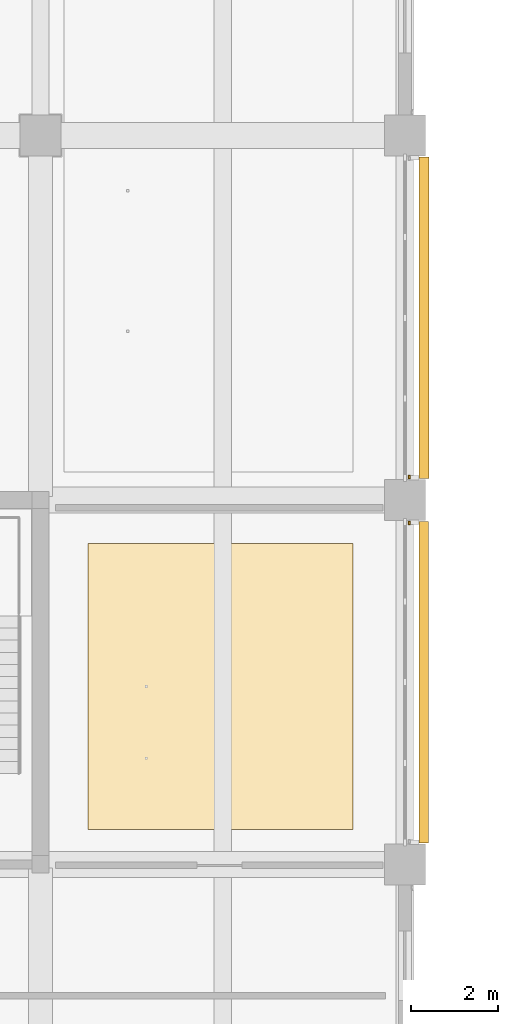
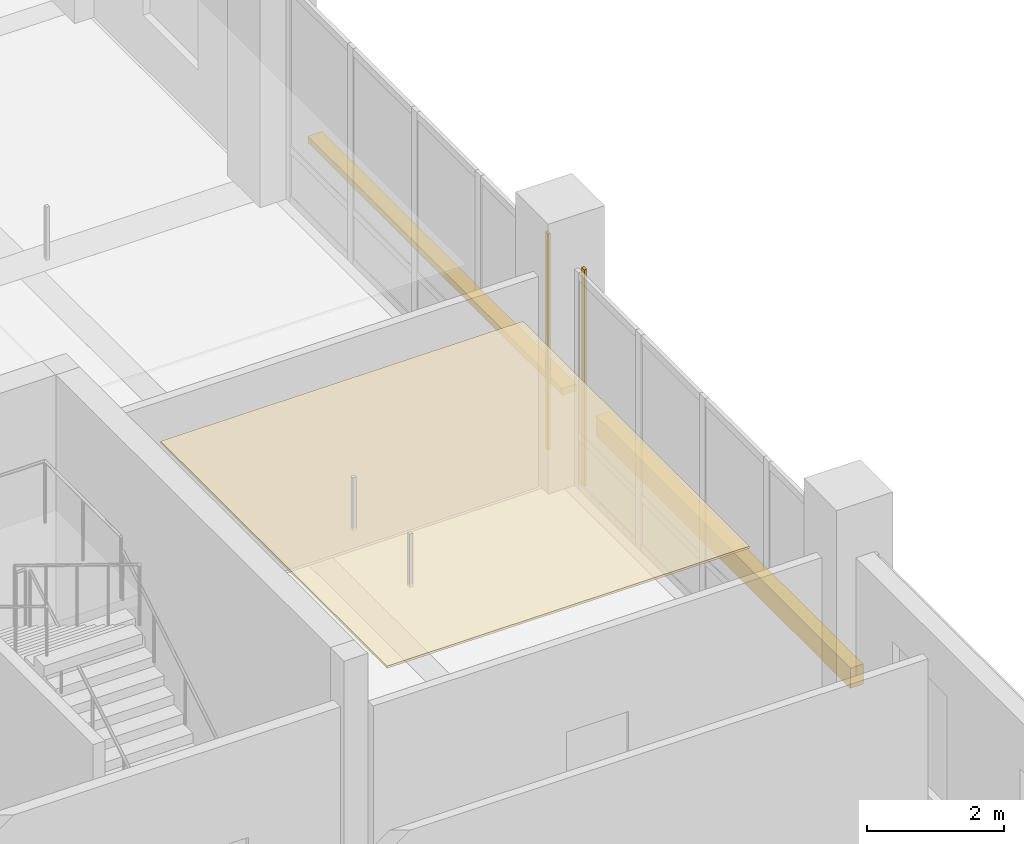
# One storey, part 114 of 122: 3 coverings, 2 shading devices.
"""IFC4 building model written with IfcOpenShell, lengths in metres."""

import ifcopenshell
import ifcopenshell.guid

model = None  # the IFC model being written
_history = None  # IfcOwnerHistory: only IFC2X3 demands one
_inside = {}  # id of a spatial element -> (the spatial element, [elements in it])
_under = {}  # id of a project, library or spatial element -> (it, [spatial elements below it])
_declared = {}  # id of a project -> (the project, [libraries it declares])
_typed = {}  # id of a type object -> (the type object, [elements of that type])
_made_of = {}  # id of a material, layer set ... -> (it, [elements and type objects made of it])


def new_model(schema):
    """Start an empty IFC model of exactly this schema.

    Asked for "IFC4X3", IfcOpenShell would pick the latest addendum, in which some entities
    have other attributes; the version numbers below select the first issue.
    IFC2X3 requires an IfcOwnerHistory on every rooted entity: one is made here for all.
    """
    global model, _history
    if schema == "IFC4X3":
        model = ifcopenshell.file(schema_version=(4, 3, 0, 0))
    else:
        model = ifcopenshell.file(schema=schema)
    _inside.clear()
    _under.clear()
    _declared.clear()
    _typed.clear()
    _made_of.clear()
    _history = None
    if model.schema == "IFC2X3":
        org = make("IfcOrganization", Name="unknown")
        user = make(
            "IfcPersonAndOrganization",
            ThePerson=make("IfcPerson", FamilyName="unknown"),
            TheOrganization=org,
        )
        app = make(
            "IfcApplication",
            ApplicationDeveloper=org,
            Version="unknown",
            ApplicationFullName="unknown",
            ApplicationIdentifier="unknown",
        )
        _history = make(
            "IfcOwnerHistory",
            OwningUser=user,
            OwningApplication=app,
            ChangeAction="ADDED",
            CreationDate=0,
        )
    return model


def make(cls, **values):
    """One entity of the class cls with the attributes given. An attribute that is None is left unset."""
    return model.create_entity(
        cls, **{name: value for name, value in values.items() if value is not None}
    )


def rooted(cls, **values):
    """An entity with a GlobalId (a new one), such as an element, a storey or a relation."""
    return make(cls, GlobalId=ifcopenshell.guid.new(), OwnerHistory=_history, **values)


def si_unit(unit_type, name, prefix=None):
    """IfcSIUnit, for example si_unit("LENGTHUNIT", "METRE", prefix="MILLI")."""
    return make("IfcSIUnit", UnitType=unit_type, Prefix=prefix, Name=name)


def assignment(units):
    """IfcUnitAssignment: the units of a project."""
    return None if units is None else make("IfcUnitAssignment", Units=units)


def point(xyz):
    """IfcCartesianPoint."""
    return None if xyz is None else make("IfcCartesianPoint", Coordinates=xyz)


def direction(xyz):
    """IfcDirection."""
    return None if xyz is None else make("IfcDirection", DirectionRatios=xyz)


def frame(location, z_axis=None, x_axis=None):
    """IfcAxis2Placement3D, a coordinate frame: its origin and axes. An axis left out is left unset."""
    return make(
        "IfcAxis2Placement3D",
        Location=point(location),
        Axis=direction(z_axis),
        RefDirection=direction(x_axis),
    )


def frame_2d(location, x_axis=None):
    """IfcAxis2Placement2D, a coordinate frame in the plane: its origin and x axis."""
    return make(
        "IfcAxis2Placement2D", Location=point(location), RefDirection=direction(x_axis)
    )


def origin():
    """The frame at (0, 0, 0) with its axes left unset."""
    return frame((0.0, 0.0, 0.0))


def origin_2d():
    """The frame at (0, 0) in the plane with its x axis left unset."""
    return frame_2d((0.0, 0.0))


def place(relative_to, where):
    """IfcLocalPlacement: puts the frame where relative to a parent placement (None: the world)."""
    return make(
        "IfcLocalPlacement", PlacementRelTo=relative_to, RelativePlacement=where
    )


def context(
    kind, dimensions, precision=None, world=None, true_north=None, identifier=None
):
    """IfcGeometricRepresentationContext, for example the 3D "Model" context."""
    return make(
        "IfcGeometricRepresentationContext",
        ContextIdentifier=identifier,
        ContextType=kind,
        CoordinateSpaceDimension=dimensions,
        Precision=precision,
        WorldCoordinateSystem=world,
        TrueNorth=true_north,
    )


def subcontext(parent, identifier, kind, view, scale=None):
    """IfcGeometricRepresentationSubContext, for example "Body" below "Model"."""
    return make(
        "IfcGeometricRepresentationSubContext",
        ContextIdentifier=identifier,
        ContextType=kind,
        ParentContext=parent,
        TargetScale=scale,
        TargetView=view,
    )


def project(units=None, contexts=None):
    """IfcProject with its units and contexts."""
    return rooted(
        "IfcProject",
        Name="project",
        RepresentationContexts=contexts,
        UnitsInContext=assignment(units),
    )


def spatial(cls, under=None, at=None, **own):
    """A site, building, storey or space (cls), placed at a placement, below another one or the project."""
    s = rooted(cls, ObjectPlacement=at, **own)
    if under is not None:
        _under.setdefault(under.id(), (under, []))[1].append(s)
    return s


def polyline(points):
    """IfcPolyline through the points."""
    return make("IfcPolyline", Points=[point(p) for p in points])


def profile(cls, at=None, kind="AREA", **sizes):
    """A parametric profile (cls). Its sizes go by their IFC names, for example OverallWidth=200.0."""
    return make(cls, ProfileType=kind, Position=at, **sizes)


def rectangle(**sizes):
    """IfcRectangleProfileDef."""
    return profile("IfcRectangleProfileDef", **sizes)


def outline(outer, holes=None, kind="AREA"):
    """IfcArbitraryClosedProfileDef: a profile drawn as a closed curve; with holes, ...WithVoids."""
    if holes is None:
        return make("IfcArbitraryClosedProfileDef", ProfileType=kind, OuterCurve=outer)
    return make(
        "IfcArbitraryProfileDefWithVoids",
        ProfileType=kind,
        OuterCurve=outer,
        InnerCurves=holes,
    )


def extrude(swept, where, along, depth):
    """IfcExtrudedAreaSolid: the profile swept, set in the frame where, extruded along a direction by depth."""
    return make(
        "IfcExtrudedAreaSolid",
        SweptArea=swept,
        Position=where,
        ExtrudedDirection=direction(along),
        Depth=depth,
    )


def shape(context_of_items, identifier, shape_type, items):
    """IfcShapeRepresentation: the items that make up one representation, for example the "Body"."""
    return make(
        "IfcShapeRepresentation",
        ContextOfItems=context_of_items,
        RepresentationIdentifier=identifier,
        RepresentationType=shape_type,
        Items=items,
    )


def material(Name=None, Category=None):
    """IfcMaterial."""
    return make("IfcMaterial", Name=Name, Category=Category)


def layer(
    of_material, thickness, ventilated=None, Name=None, Category=None, Priority=None
):
    """IfcMaterialLayer: one layer of a wall or slab, of a material (None: an air gap)."""
    return make(
        "IfcMaterialLayer",
        Material=of_material,
        LayerThickness=thickness,
        IsVentilated=ventilated,
        Name=Name,
        Category=Category,
        Priority=Priority,
    )


def layer_set(layers, Name=None):
    """IfcMaterialLayerSet."""
    return make("IfcMaterialLayerSet", MaterialLayers=layers, LayerSetName=Name)


def made_of(thing, what):
    """Note that an element or type object is made of a material, layer set ...; save() writes the relation."""
    if what is not None:
        _made_of.setdefault(what.id(), (what, []))[1].append(thing)
    return thing


def type_object(cls, material=None, **own):
    """A type object (cls), such as IfcWallType, which elements share."""
    return made_of(rooted(cls, **own), material)


def element(
    cls,
    number,
    at=None,
    inside=None,
    cuts=None,
    type_object=None,
    material=None,
    context=None,
    identifier="Body",
    shape_type=None,
    held_by="IfcProductDefinitionShape",
    body=None,
    shapes=None,
    **own,
):
    """One element of the class cls, such as IfcWall. Its Tag is "e" and its number.

    at: its placement. inside: the storey or other place that contains it. cuts: it is an
    opening in that element (IfcRelVoidsElement). A single representation is given by context,
    identifier, shape_type and body (its items); several are given by shapes. held_by: the class
    of the entity that holds the representations. save() writes the other relations.
    """
    e = rooted(cls, Tag="e%d" % number, ObjectPlacement=at, **own)
    if body is not None:
        shapes = [shape(context, identifier, shape_type, body)]
    if shapes is not None:
        e.Representation = make(held_by, Representations=shapes)
    if inside is not None:
        _inside.setdefault(inside.id(), (inside, []))[1].append(e)
    if cuts is not None:
        rooted(
            "IfcRelVoidsElement", RelatingBuildingElement=cuts, RelatedOpeningElement=e
        )
    if type_object is not None:
        _typed.setdefault(type_object.id(), (type_object, []))[1].append(e)
    return made_of(e, material)


def aggregate(whole, parts):
    """IfcRelAggregates: a whole, such as a stair, and the parts it consists of."""
    return rooted("IfcRelAggregates", RelatingObject=whole, RelatedObjects=parts)


def save(model, path):
    """Write the relations noted so far, then the file.

    IfcRelAggregates (storeys below a building ...), IfcRelContainedInSpatialStructure (elements
    in a storey), IfcRelDefinesByType, IfcRelAssociatesMaterial and IfcRelDeclares: one each for
    every whole, place, type object, material and project.
    """
    for whole, parts in _under.values():
        aggregate(whole, parts)
    for where, things in _inside.values():
        rooted(
            "IfcRelContainedInSpatialStructure",
            RelatedElements=things,
            RelatingStructure=where,
        )
    for kind, things in _typed.values():
        rooted("IfcRelDefinesByType", RelatedObjects=things, RelatingType=kind)
    for what, things in _made_of.values():
        rooted("IfcRelAssociatesMaterial", RelatedObjects=things, RelatingMaterial=what)
    for by, libraries in _declared.values():
        rooted("IfcRelDeclares", RelatingContext=by, RelatedDefinitions=libraries)
    model.write(path)


model = new_model("IFC4")

# Units and contexts
model_context = context("Model", 3, precision=1e-05, world=origin(), true_north=direction((0.0, 1.0)))
body_context = subcontext(model_context, "Body", "Model", "MODEL_VIEW")
ifc_project = project(units=[si_unit("LENGTHUNIT", "METRE"), si_unit("AREAUNIT", "SQUARE_METRE"), si_unit("VOLUMEUNIT", "CUBIC_METRE"), si_unit("PLANEANGLEUNIT", "RADIAN"), si_unit("MASSUNIT", "GRAM", prefix="KILO")], contexts=[model_context])

# Site, building, storey
site_placement = place(None, origin())
site = spatial("IfcSite", under=ifc_project, at=site_placement, CompositionType="ELEMENT")
building_placement = place(site_placement, origin())
building = spatial("IfcBuilding", under=site, at=building_placement, Name="Telukmera Botanical Conservatory", CompositionType="ELEMENT")
storey_placement = place(building_placement, frame((0.0, 0.0, 10.199951171875)))
storey = spatial("IfcBuildingStorey", under=building, at=storey_placement, Name="L02", CompositionType="ELEMENT", Elevation=10.199951171875)

# Coverings
ifc_material_1 = material(Name="Perforated gypsum acoustic ceiling")
ifc_layer_1 = layer(ifc_material_1, 0.0400390625)
ifc_layer_set_1 = layer_set([ifc_layer_1], Name="Perforated gypsum acoustic ceiling")
covering_type_1 = type_object("IfcCoveringType", Name="COV-CEIL-40", PredefinedType="CEILING", material=ifc_layer_set_1)
covering_placement = place(storey_placement, frame((0.0, 0.0, 3.610107421875)))
element("IfcCovering", 1, at=covering_placement, inside=storey, type_object=covering_type_1, Name="L02 Herbarium Digitization Studio Suspended Acoustic Ceiling", PredefinedType="CEILING", context=body_context, shape_type="SweptSolid", body=[
    extrude(outline(polyline([(101.89990234375, 26.800048828125), (108.0, 26.800048828125), (108.0, 33.39990234375), (101.89990234375, 33.39990234375), (101.89990234375, 26.800048828125)])), origin(), (0.0, 0.0, 1.0), 0.0400390625),
])
ifc_material_2 = material(Name="Granite-faced precast concrete C40/50", Category="masonry")
ifc_layer_2 = layer(ifc_material_2, 0.0400390625)
ifc_layer_set_2 = layer_set([ifc_layer_2], Name="Granite-faced precast concrete C40/50")
covering_type_2 = type_object("IfcCoveringType", Name="Granite Precast Column Pier Reveal Casing", PredefinedType="CLADDING", material=ifc_layer_set_2)
for number, where, z_axis, x_axis, name in (
    (2, (109.300048828125, 33.873046875, 0.0), (0.0, 0.0, 1.0), (0.0, 1.0, 0.0), "Granite Pier Reveal V4:L02:E3 R"),
    (3, (109.300048828125, 34.927001953125, 0.0), (0.0, 0.0, 1.0), (0.0, 1.0, 0.0), "Granite Pier Reveal V4:L02:E4 L"),
):
    element("IfcCovering", number, at=place(storey_placement, frame(where, z_axis=z_axis, x_axis=x_axis)), inside=storey, type_object=covering_type_2, Name=name, PredefinedType="CLADDING", context=body_context, shape_type="SweptSolid", body=[
        extrude(rectangle(XDim=0.080078125, YDim=0.0400390625, at=origin_2d()), origin(), (0.0, 0.0, 1.0), 3.85009765625),
    ])

# Shading devices
ifc_material_3 = material(Name="Perforated terracotta-anodised aluminium 6063-T6", Category="masonry")
ifc_layer_3 = layer(ifc_material_3, 0.050048828125)
ifc_layer_set_3 = layer_set([ifc_layer_3], Name="Perforated terracotta-anodised aluminium 6063-T6")
shading_device_type_1 = type_object("IfcShadingDeviceType", Name="Operable Monsoon Solar Louvre Shutter Bank", PredefinedType="SHUTTER", material=ifc_layer_set_3)
shading_device_1_placement = place(storey_placement, frame((109.6298828125, 30.199951171875, 0.77001953125), z_axis=(0.0, 0.0, 1.0), x_axis=(0.0, 1.0, 0.0)))
element("IfcShadingDevice", 4, at=shading_device_1_placement, inside=storey, type_object=shading_device_type_1, Name="Monsoon Shading SH01 V4:L02:E3", PredefinedType="SHUTTER", context=body_context, shape_type="SweptSolid", body=[
    extrude(rectangle(XDim=7.406005859375, YDim=0.219970703125, at=origin_2d()), origin(), (0.0, 0.0, 1.0), 0.360107421875),
])
ifc_layer_4 = layer(ifc_material_3, 0.044921875)
ifc_layer_set_4 = layer_set([ifc_layer_4], Name="Perforated terracotta-anodised aluminium 6063-T6")
shading_device_type_2 = type_object("IfcShadingDeviceType", Name="Perforated Terracotta Aluminium Monsoon Brise Soleil", PredefinedType="JALOUSIE", material=ifc_layer_set_4)
shading_device_2_placement = place(storey_placement, frame((109.639892578125, 38.60009765625, 0.889892578125), z_axis=(0.0, 0.0, 1.0), x_axis=(0.0, 1.0, 0.0)))
element("IfcShadingDevice", 5, at=shading_device_2_placement, inside=storey, type_object=shading_device_type_2, Name="Monsoon Shading BS01 V4:L02:E4", PredefinedType="JALOUSIE", context=body_context, shape_type="SweptSolid", body=[
    extrude(rectangle(XDim=7.406005859375, YDim=0.239990234375, at=origin_2d()), origin(), (0.0, 0.0, 1.0), 0.1201171875),
])

save(model, "model.ifc")
